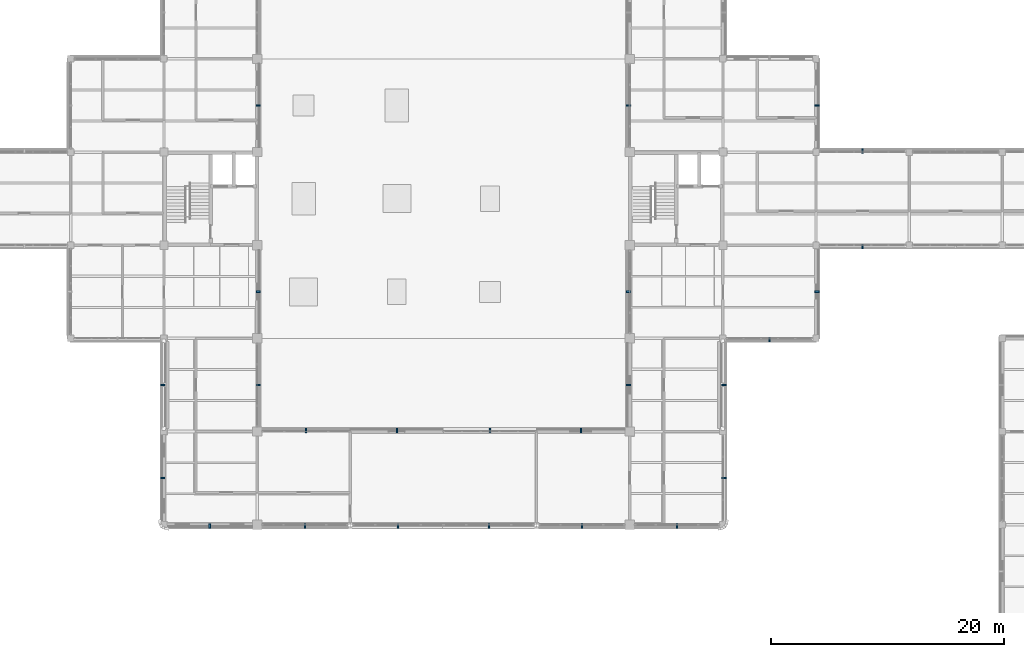
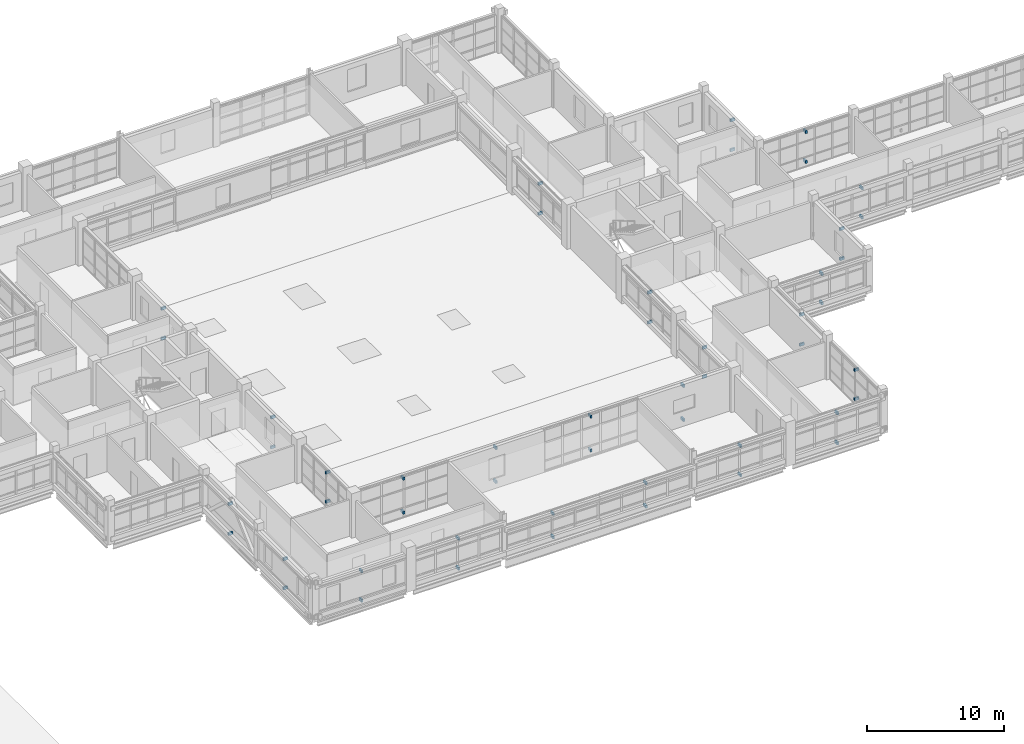
# One storey, part 91 of 107: 50 discrete accessories.
"""IFC4 building model written with IfcOpenShell, lengths in metres."""

from ifc_helpers import new_model, si_unit, derived_unit, direction, frame, origin, origin_2d, place, context, subcontext, project, spatial, rectangle, extrude, material, type_object, element, save


model = new_model("IFC4")

# Units and contexts
model_context = context("Model", 3, precision=1e-05, world=origin(), true_north=direction((0.0, 1.0)))
body_context = subcontext(model_context, "Body", "Model", "MODEL_VIEW")
ifc_project = project(units=[si_unit("LENGTHUNIT", "METRE"), si_unit("AREAUNIT", "SQUARE_METRE"), si_unit("VOLUMEUNIT", "CUBIC_METRE"), si_unit("PLANEANGLEUNIT", "RADIAN"), si_unit("MASSUNIT", "GRAM", prefix="KILO"), derived_unit("THERMALTRANSMITTANCEUNIT", [(si_unit("MASSUNIT", "GRAM", prefix="KILO"), 1), (si_unit("TIMEUNIT", "SECOND"), -3), (si_unit("THERMODYNAMICTEMPERATUREUNIT", "KELVIN"), -1)])], contexts=[model_context])

# Site, building, storey
site_placement = place(None, origin())
site = spatial("IfcSite", under=ifc_project, at=site_placement, CompositionType="ELEMENT")
building_placement = place(site_placement, origin())
building = spatial("IfcBuilding", under=site, at=building_placement, Name="Veyamyaing Civic Hall", CompositionType="ELEMENT")
storey_placement = place(building_placement, frame((0.0, 0.0, 13.860107421875)))
storey = spatial("IfcBuildingStorey", under=building, at=storey_placement, Name="L03", CompositionType="ELEMENT", Elevation=13.860107421875)

# Discrete accessories
ifc_material = material(Name="Steel S355J2", Category="steel")
discrete_accessory_type = type_object("IfcDiscreteAccessoryType", Name="BK-01", PredefinedType="BRACKET", material=ifc_material)
for number, where, z_axis, x_axis, name in (
    (1, (67.9375, 23.89990234375, 2.9638671875), (0.0, 0.0, 1.0), (0.0, -1.0, 0.0), "Sunshade anchor bracket BK-01 L03 S 9.4"),
    (2, (67.9375, 23.89990234375, 0.35986328125), (0.0, 0.0, 1.0), (0.0, -1.0, 0.0), "Lower ribbon anchor bracket BK-01 L03 S 9.4"),
    (3, (63.89990234375, 28.0, 2.9638671875), (0.0, 0.0, 1.0), (-1.0, 0.0, 0.0), "Sunshade anchor bracket BK-01 L03 W 9.4"),
    (4, (63.89990234375, 28.0, 0.35986328125), (0.0, 0.0, 1.0), (-1.0, 0.0, 0.0), "Lower ribbon anchor bracket BK-01 L03 W 9.4"),
    (5, (63.89990234375, 36.0, 3.02685546875), (0.0, 0.0, 1.0), (-1.0, 0.0, 0.0), "Sunshade anchor bracket BK-01 L03 W 9.5"),
    (6, (63.89990234375, 36.0, 0.35986328125), (0.0, 0.0, 1.0), (-1.0, 0.0, 0.0), "Lower ribbon anchor bracket BK-01 L03 W 9.5"),
    (7, (72.10009765625, 36.0, 2.9599609375), (0.0, 0.0, 1.0), (1.0, 0.0, 0.0), "Sunshade anchor bracket BK-01 L03 E 9.5"),
    (8, (72.10009765625, 36.0, 0.35986328125), (0.0, 0.0, 1.0), (1.0, 0.0, 0.0), "Lower ribbon anchor bracket BK-01 L03 E 9.5"),
    (9, (72.10009765625, 44.0, 3.02392578125), (0.0, 0.0, 1.0), (1.0, 0.0, 0.0), "Sunshade anchor bracket BK-01 L03 E 9.6"),
    (10, (72.10009765625, 44.0, 0.35986328125), (0.0, 0.0, 1.0), (1.0, 0.0, 0.0), "Lower ribbon anchor bracket BK-01 L03 E 9.6"),
    (11, (72.10009765625, 60.0, 3.02685546875), (0.0, 0.0, 1.0), (1.0, 0.0, 0.0), "Sunshade anchor bracket BK-01 L03 E 9.8"),
    (12, (72.10009765625, 60.0, 0.35986328125), (0.0, 0.0, 1.0), (1.0, 0.0, 0.0), "Lower ribbon anchor bracket BK-01 L03 E 9.8"),
    (13, (76.10791015625, 23.89990234375, 3.02197265625), (0.0, 0.0, 1.0), (0.0, -1.0, 0.0), "Sunshade anchor bracket BK-01 L03 S 10.4"),
    (14, (76.10791015625, 23.89990234375, 0.35986328125), (0.0, 0.0, 1.0), (0.0, -1.0, 0.0), "Lower ribbon anchor bracket BK-01 L03 S 10.4"),
    (15, (76.1923828125, 32.10009765625, 3.384765625), (0.0, 0.0, 1.0), (0.0, 1.0, 0.0), "Sunshade anchor bracket BK-01 L03 N 10.4"),
    (16, (76.1923828125, 32.10009765625, 0.35986328125), (0.0, 0.0, 1.0), (0.0, 1.0, 0.0), "Lower ribbon anchor bracket BK-01 L03 N 10.4"),
    (17, (84.084716796875, 23.89990234375, 2.44873046875), (0.0, 0.0, 1.0), (0.0, -1.0, 0.0), "Sunshade anchor bracket BK-01 L03 S 11.4"),
    (18, (84.084716796875, 23.89990234375, 0.35986328125), (0.0, 0.0, 1.0), (0.0, -1.0, 0.0), "Lower ribbon anchor bracket BK-01 L03 S 11.4"),
    (19, (84.0, 32.10009765625, 3.384765625), (0.0, 0.0, 1.0), (0.0, 1.0, 0.0), "Sunshade anchor bracket BK-01 L03 N 11.4"),
    (20, (84.0, 32.10009765625, 0.35986328125), (0.0, 0.0, 1.0), (0.0, 1.0, 0.0), "Lower ribbon anchor bracket BK-01 L03 N 11.4"),
    (21, (91.915283203125, 23.89990234375, 2.44873046875), (0.0, 0.0, 1.0), (0.0, -1.0, 0.0), "Sunshade anchor bracket BK-01 L03 S 12.4"),
    (22, (91.915283203125, 23.89990234375, 0.35986328125), (0.0, 0.0, 1.0), (0.0, -1.0, 0.0), "Lower ribbon anchor bracket BK-01 L03 S 12.4"),
    (23, (92.0, 32.10009765625, 3.384765625), (0.0, 0.0, 1.0), (0.0, 1.0, 0.0), "Sunshade anchor bracket BK-01 L03 N 12.4"),
    (24, (92.0, 32.10009765625, 0.35986328125), (0.0, 0.0, 1.0), (0.0, 1.0, 0.0), "Lower ribbon anchor bracket BK-01 L03 N 12.4"),
    (25, (99.89208984375, 23.89990234375, 2.958984375), (0.0, 0.0, 1.0), (0.0, -1.0, 0.0), "Sunshade anchor bracket BK-01 L03 S 13.4"),
    (26, (99.89208984375, 23.89990234375, 0.35986328125), (0.0, 0.0, 1.0), (0.0, -1.0, 0.0), "Lower ribbon anchor bracket BK-01 L03 S 13.4"),
    (27, (99.8076171875, 32.10009765625, 3.384765625), (0.0, 0.0, 1.0), (0.0, 1.0, 0.0), "Sunshade anchor bracket BK-01 L03 N 13.4"),
    (28, (99.8076171875, 32.10009765625, 0.35986328125), (0.0, 0.0, 1.0), (0.0, 1.0, 0.0), "Lower ribbon anchor bracket BK-01 L03 N 13.4"),
    (29, (108.0625, 23.89990234375, 3.02685546875), (0.0, 0.0, 1.0), (0.0, -1.0, 0.0), "Sunshade anchor bracket BK-01 L03 S 14.4"),
    (30, (108.0625, 23.89990234375, 0.35986328125), (0.0, 0.0, 1.0), (0.0, -1.0, 0.0), "Lower ribbon anchor bracket BK-01 L03 S 14.4"),
    (31, (112.10009765625, 28.0, 2.9599609375), (0.0, 0.0, 1.0), (1.0, 0.0, 0.0), "Sunshade anchor bracket BK-01 L03 E 14.4"),
    (32, (112.10009765625, 28.0, 0.35986328125), (0.0, 0.0, 1.0), (1.0, 0.0, 0.0), "Lower ribbon anchor bracket BK-01 L03 E 14.4"),
    (33, (103.89990234375, 36.0, 2.9599609375), (0.0, 0.0, 1.0), (-1.0, 0.0, 0.0), "Sunshade anchor bracket BK-01 L03 W 14.5"),
    (34, (103.89990234375, 36.0, 0.35986328125), (0.0, 0.0, 1.0), (-1.0, 0.0, 0.0), "Lower ribbon anchor bracket BK-01 L03 W 14.5"),
    (35, (112.10009765625, 36.0, 3.02392578125), (0.0, 0.0, 1.0), (1.0, 0.0, 0.0), "Sunshade anchor bracket BK-01 L03 E 14.5"),
    (36, (112.10009765625, 36.0, 0.35986328125), (0.0, 0.0, 1.0), (1.0, 0.0, 0.0), "Lower ribbon anchor bracket BK-01 L03 E 14.5"),
    (37, (103.89990234375, 44.0, 3.02392578125), (0.0, 0.0, 1.0), (-1.0, 0.0, 0.0), "Sunshade anchor bracket BK-01 L03 W 14.6"),
    (38, (103.89990234375, 44.0, 0.35986328125), (0.0, 0.0, 1.0), (-1.0, 0.0, 0.0), "Lower ribbon anchor bracket BK-01 L03 W 14.6"),
    (39, (103.89990234375, 60.0, 3.02685546875), (0.0, 0.0, 1.0), (-1.0, 0.0, 0.0), "Sunshade anchor bracket BK-01 L03 W 14.8"),
    (40, (103.89990234375, 60.0, 0.35986328125), (0.0, 0.0, 1.0), (-1.0, 0.0, 0.0), "Lower ribbon anchor bracket BK-01 L03 W 14.8"),
    (41, (116.0, 39.89990234375, 2.9638671875), (0.0, 0.0, 1.0), (0.0, -1.0, 0.0), "Sunshade anchor bracket BK-01 L03 S 15.6"),
    (42, (116.0, 39.89990234375, 0.35986328125), (0.0, 0.0, 1.0), (0.0, -1.0, 0.0), "Lower ribbon anchor bracket BK-01 L03 S 15.6"),
    (43, (120.10009765625, 44.0, 3.02685546875), (0.0, 0.0, 1.0), (1.0, 0.0, 0.0), "Sunshade anchor bracket BK-01 L03 E 15.6"),
    (44, (120.10009765625, 44.0, 0.35986328125), (0.0, 0.0, 1.0), (1.0, 0.0, 0.0), "Lower ribbon anchor bracket BK-01 L03 E 15.6"),
    (45, (120.10009765625, 60.0, 3.02392578125), (0.0, 0.0, 1.0), (1.0, 0.0, 0.0), "Sunshade anchor bracket BK-01 L03 E 15.8"),
    (46, (120.10009765625, 60.0, 0.35986328125), (0.0, 0.0, 1.0), (1.0, 0.0, 0.0), "Lower ribbon anchor bracket BK-01 L03 E 15.8"),
    (47, (124.0, 47.89990234375, 2.9599609375), (0.0, 0.0, 1.0), (0.0, -1.0, 0.0), "Sunshade anchor bracket BK-01 L03 S 16.7"),
    (48, (124.0, 47.89990234375, 0.35986328125), (0.0, 0.0, 1.0), (0.0, -1.0, 0.0), "Lower ribbon anchor bracket BK-01 L03 S 16.7"),
    (49, (124.0, 56.10009765625, 3.02392578125), (0.0, 0.0, 1.0), (0.0, 1.0, 0.0), "Sunshade anchor bracket BK-01 L03 N 16.7"),
    (50, (124.0, 56.10009765625, 0.35986328125), (0.0, 0.0, 1.0), (0.0, 1.0, 0.0), "Lower ribbon anchor bracket BK-01 L03 N 16.7"),
):
    element("IfcDiscreteAccessory", number, at=place(storey_placement, frame(where, z_axis=z_axis, x_axis=x_axis)), inside=storey, type_object=discrete_accessory_type, Name=name, PredefinedType="BRACKET", context=body_context, shape_type="SweptSolid", body=[
        extrude(rectangle(XDim=0.3798828125, YDim=0.139892578125, at=origin_2d()), origin(), (0.0, 0.0, 1.0), 0.239990234375),
    ])

save(model, "model.ifc")
